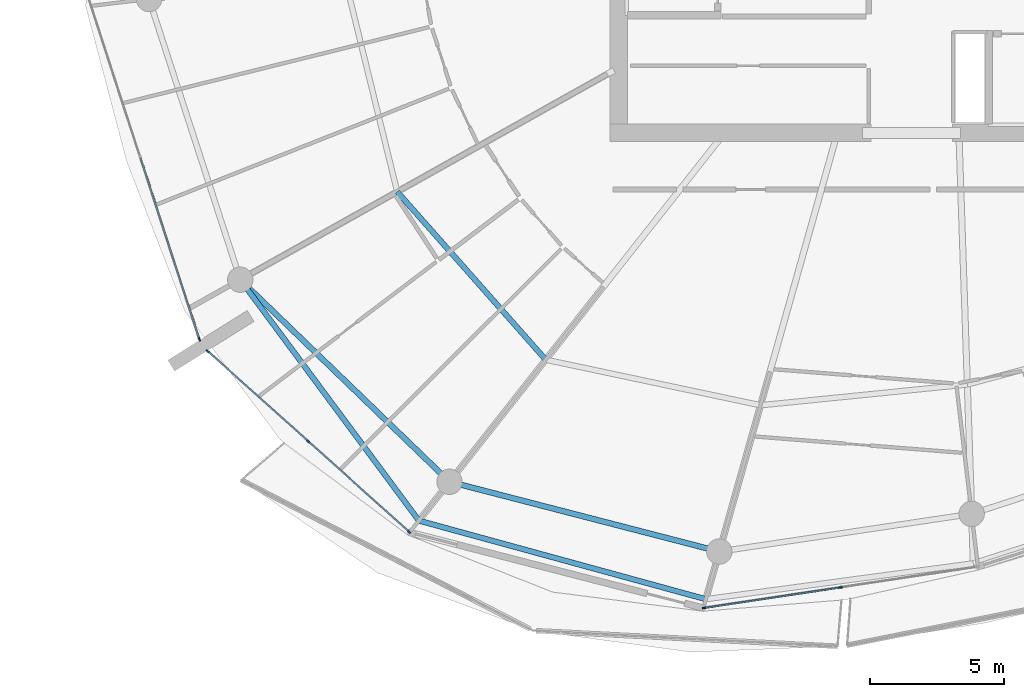
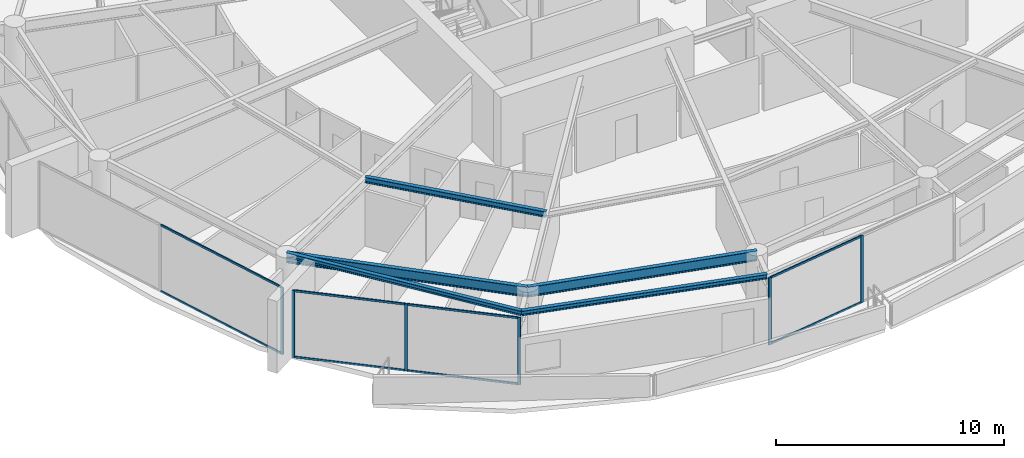
# One storey, part 5 of 30: 14 members, 5 beams, 3 elements without a shape of their own.
"""IFC4 building model written with IfcOpenShell, lengths in metres."""

from ifc_helpers import new_model, si_unit, direction, frame, origin, origin_2d, place, context, subcontext, project, spatial, rectangle, i_section, extrude, material, layer, layer_set, material_profile, profile_set, type_object, element, aggregate, save


model = new_model("IFC4")

# Units and contexts
model_context = context("Model", 3, precision=1e-05, world=origin(), true_north=direction((0.0, 1.0)))
body_context = subcontext(model_context, "Body", "Model", "MODEL_VIEW")
ifc_project = project(units=[si_unit("LENGTHUNIT", "METRE"), si_unit("AREAUNIT", "SQUARE_METRE"), si_unit("VOLUMEUNIT", "CUBIC_METRE"), si_unit("PLANEANGLEUNIT", "RADIAN"), si_unit("MASSUNIT", "GRAM", prefix="KILO")], contexts=[model_context])

# Site, building, storey
site_placement = place(None, origin())
site = spatial("IfcSite", under=ifc_project, at=site_placement, CompositionType="ELEMENT")
building_placement = place(site_placement, origin())
building = spatial("IfcBuilding", under=site, at=building_placement, Name="Kazma Halo Residences", CompositionType="ELEMENT")
storey_placement = place(building_placement, frame((0.0, 0.0, 255.949951171875)))
storey = spatial("IfcBuildingStorey", under=building, at=storey_placement, Name="L64", CompositionType="ELEMENT", Elevation=255.949951171875)

# Beams
ifc_material_1 = material(Name="Steel S355", Category="steel")
ifc_material_profile_1 = material_profile(ifc_material_1, i_section(OverallWidth=0.201904296875, OverallDepth=0.2470703125, WebThickness=0.00732421875, FlangeThickness=0.010986328125, FilletRadius=0.011962890625, at=origin_2d()), Name="W250x49.1")
ifc_profile_set_1 = profile_set([ifc_material_profile_1], Name="Steel S355")
beam_type_1 = type_object("IfcBeamType", Name="BM-BAL-CANT", PredefinedType="BEAM", material=ifc_profile_set_1)
beam_1_placement = place(storey_placement, frame((23.32958984375, 28.18408203125, 3.466552734375), z_axis=(0.595556062515, -0.803313747176, 0.0), x_axis=(0.803313747176, 0.595556062515, 0.0)))
element("IfcBeam", 1, at=beam_1_placement, inside=storey, type_object=beam_type_1, Name="L64 wave-balcony lead tie beam 09", PredefinedType="BEAM", context=body_context, shape_type="SweptSolid", body=[
    extrude(i_section(OverallWidth=0.201904296875, OverallDepth=0.2470703125, WebThickness=0.00732421875, FlangeThickness=0.010986328125, FilletRadius=0.011962890625, at=origin_2d()), origin(), (0.0, 0.0, 1.0), 11.213134765625),
])
beam_2_placement = place(storey_placement, frame((30.007568359375, 19.176513671875, 3.466552734375), z_axis=(0.964514665976, -0.264029277006, 0.0), x_axis=(0.264029277006, 0.964514665976, 0.0)))
element("IfcBeam", 2, at=beam_2_placement, inside=storey, type_object=beam_type_1, Name="L64 wave-balcony tie beam 10", PredefinedType="BEAM", context=body_context, shape_type="SweptSolid", body=[
    extrude(i_section(OverallWidth=0.201904296875, OverallDepth=0.2470703125, WebThickness=0.00732421875, FlangeThickness=0.010986328125, FilletRadius=0.011962890625, at=origin_2d()), origin(), (0.0, 0.0, 1.0), 11.1220703125),
])
ifc_material_profile_2 = material_profile(ifc_material_1, i_section(OverallWidth=0.202880859375, OverallDepth=0.302978515625, WebThickness=0.007568359375, FlangeThickness=0.01318359375, FilletRadius=0.013916015625, at=origin_2d()), Name="W310x60")
ifc_profile_set_2 = profile_set([ifc_material_profile_2], Name="Steel S355")
beam_type_2 = type_object("IfcBeamType", Name="BM-SEC-W310A", PredefinedType="JOIST", material=ifc_profile_set_2)
beam_3_placement = place(storey_placement, frame((29.197265625, 31.469970703125, 3.4384765625), z_axis=(0.662539311942, -0.749027142453, 0.0), x_axis=(0.749027142453, 0.662539311942, 0.0)))
element("IfcBeam", 3, at=beam_3_placement, inside=storey, type_object=beam_type_2, Name="L64 circumferential floor joist 09", PredefinedType="JOIST", context=body_context, shape_type="SweptSolid", body=[
    extrude(i_section(OverallWidth=0.202880859375, OverallDepth=0.302978515625, WebThickness=0.007568359375, FlangeThickness=0.01318359375, FilletRadius=0.013916015625, at=origin_2d()), origin(), (0.0, 0.0, 1.0), 8.381103515625),
])
ifc_material_profile_3 = material_profile(ifc_material_1, i_section(OverallWidth=0.208984375, OverallDepth=0.532958984375, WebThickness=0.01025390625, FlangeThickness=0.015625, FilletRadius=0.01611328125, at=origin_2d()), Name="W530x92")
ifc_profile_set_3 = profile_set([ifc_material_profile_3], Name="Steel S355")
beam_type_3 = type_object("IfcBeamType", Name="BM-SPN-W530", PredefinedType="BEAM", material=ifc_profile_set_3)
beam_4_placement = place(storey_placement, frame((23.32958984375, 28.18408203125, 3.323486328125), z_axis=(0.719345757929, -0.694652201141, 0.0), x_axis=(0.694652201141, 0.719345757929, 0.0)))
element("IfcBeam", 4, at=beam_4_placement, inside=storey, type_object=beam_type_3, Name="L64 perimeter ring beam 09", PredefinedType="BEAM", context=body_context, shape_type="SweptSolid", body=[
    extrude(i_section(OverallWidth=0.208984375, OverallDepth=0.532958984375, WebThickness=0.01025390625, FlangeThickness=0.015625, FilletRadius=0.01611328125, at=origin_2d()), origin(), (0.0, 0.0, 1.0), 10.87548828125),
])
beam_5_placement = place(storey_placement, frame((31.15283203125, 20.62939453125, 3.323486328125), z_axis=(0.968126042852, -0.250463500639, 0.0), x_axis=(0.250463500639, 0.968126042852, 0.0)))
element("IfcBeam", 5, at=beam_5_placement, inside=storey, type_object=beam_type_3, Name="L64 perimeter ring beam 10", PredefinedType="BEAM", context=body_context, shape_type="SweptSolid", body=[
    extrude(i_section(OverallWidth=0.208984375, OverallDepth=0.532958984375, WebThickness=0.01025390625, FlangeThickness=0.015625, FilletRadius=0.01611328125, at=origin_2d()), origin(), (0.0, 0.0, 1.0), 10.416259765625),
])

# Curtain wall, member
ifc_material_2 = material(Name="Aluminium AW-6063 T6 and Triple-Silver Low-E Glass", Category="aluminium")
ifc_layer = layer(ifc_material_2, 0.139892578125)
ifc_layer_set = layer_set([ifc_layer], Name="Aluminium AW-6063 T6 and Triple-Silver Low-E Glass")
curtain_wall_type = type_object("IfcCurtainWallType", Name="CW-SYS-5", PredefinedType="NOTDEFINED", material=ifc_layer_set)
curtain_wall_1_placement = place(storey_placement, origin())
curtain_wall_1 = element("IfcCurtainWall", 6, at=curtain_wall_1_placement, inside=storey, type_object=curtain_wall_type, Name="L64 unitised curtain wall B08", PredefinedType="NOTDEFINED")
ifc_material_3 = material(Name="Aluminium AW-6063 T6", Category="aluminium")
ifc_material_profile_4 = material_profile(ifc_material_3, rectangle(XDim=0.06005859375, YDim=0.139892578125, at=origin_2d()), Name="CWM-60x140")
ifc_profile_set_4 = profile_set([ifc_material_profile_4], Name="Aluminium AW-6063 T6")
member_type_1 = type_object("IfcMemberType", Name="CW-SYS-5-MUL", PredefinedType="MULLION", material=ifc_profile_set_4)
member_1_placement = place(storey_placement, frame((21.8076171875, 25.9521484375, 0.0), z_axis=(0.0, 0.0, 1.0), x_axis=(0.951058464359, 0.309010998786, 0.0)))
member_1 = element("IfcMember", 7, at=member_1_placement, type_object=member_type_1, Name="CWS-5 mullion 3", PredefinedType="MULLION", context=body_context, shape_type="SweptSolid", body=[
    extrude(rectangle(XDim=0.06005859375, YDim=0.139892578125, at=origin_2d()), origin(), (0.0, 0.0, 1.0), 3.590087890625),
])

# Curtain wall, members
curtain_wall_2_placement = place(storey_placement, origin())
curtain_wall_2 = element("IfcCurtainWall", 8, at=curtain_wall_2_placement, inside=storey, type_object=curtain_wall_type, Name="L64 unitised curtain wall B09", PredefinedType="NOTDEFINED")
member_2_placement = place(storey_placement, frame((22.11669921875, 25.508056640625, 0.0), z_axis=(0.0, 0.0, 1.0), x_axis=(0.667804826958, 0.744336424671, 0.0)))
member_2 = element("IfcMember", 9, at=member_2_placement, type_object=member_type_1, Name="CWS-5 mullion 1", PredefinedType="MULLION", context=body_context, shape_type="SweptSolid", body=[
    extrude(rectangle(XDim=0.06005859375, YDim=0.139892578125, at=origin_2d()), origin(), (0.0, 0.0, 1.0), 3.590087890625),
])
member_3_placement = place(storey_placement, frame((25.878173828125, 22.13330078125, 0.0), z_axis=(0.0, 0.0, 1.0), x_axis=(0.667804826958, 0.744336424671, 0.0)))
member_3 = element("IfcMember", 10, at=member_3_placement, type_object=member_type_1, Name="CWS-5 mullion 2", PredefinedType="MULLION", context=body_context, shape_type="SweptSolid", body=[
    extrude(rectangle(XDim=0.06005859375, YDim=0.139892578125, at=origin_2d()), origin(), (0.0, 0.0, 1.0), 3.590087890625),
])
member_4_placement = place(storey_placement, frame((29.6396484375, 18.758544921875, 0.0), z_axis=(0.0, 0.0, 1.0), x_axis=(0.667804826958, 0.744336424671, 0.0)))
member_4 = element("IfcMember", 11, at=member_4_placement, type_object=member_type_1, Name="CWS-5 mullion 3", PredefinedType="MULLION", context=body_context, shape_type="SweptSolid", body=[
    extrude(rectangle(XDim=0.06005859375, YDim=0.139892578125, at=origin_2d()), origin(), (0.0, 0.0, 1.0), 3.590087890625),
])

curtain_wall_3_placement = place(storey_placement, origin())
curtain_wall_3 = element("IfcCurtainWall", 12, at=curtain_wall_3_placement, inside=storey, type_object=curtain_wall_type, Name="L64 unitised curtain wall B11", PredefinedType="NOTDEFINED")
member_5_placement = place(storey_placement, frame((40.671142578125, 15.912841796875, 0.0), z_axis=(0.0, 0.0, 1.0), x_axis=(-0.148697080374, 0.988882792998, 0.0)))
member_5 = element("IfcMember", 13, at=member_5_placement, type_object=member_type_1, Name="CWS-5 mullion 1", PredefinedType="MULLION", context=body_context, shape_type="SweptSolid", body=[
    extrude(rectangle(XDim=0.06005859375, YDim=0.139892578125, at=origin_2d()), origin(), (0.0, 0.0, 1.0), 3.590087890625),
])
member_6_placement = place(storey_placement, frame((45.7734375, 16.679931640625, 0.0), z_axis=(0.0, 0.0, 1.0), x_axis=(-0.148697080374, 0.988882792998, 0.0)))
member_6 = element("IfcMember", 14, at=member_6_placement, type_object=member_type_1, Name="CWS-5 mullion 2", PredefinedType="MULLION", context=body_context, shape_type="SweptSolid", body=[
    extrude(rectangle(XDim=0.06005859375, YDim=0.139892578125, at=origin_2d()), origin(), (0.0, 0.0, 1.0), 3.590087890625),
])

# Member
ifc_material_profile_5 = material_profile(ifc_material_3, rectangle(XDim=0.06005859375, YDim=0.10498046875, at=origin_2d()), Name="CWT-60x105")
ifc_profile_set_5 = profile_set([ifc_material_profile_5], Name="Aluminium AW-6063 T6")
member_type_2 = type_object("IfcMemberType", Name="CW-SYS-5-TRN", PredefinedType="USERDEFINED", material=ifc_profile_set_5)
member_7_placement = place(storey_placement, frame((19.6015625, 32.7412109375, 0.030029296875), z_axis=(0.309027052142, -0.95105324827, 0.0), x_axis=(0.95105324827, 0.309027052142, 0.0)))
member_7 = element("IfcMember", 15, at=member_7_placement, type_object=member_type_2, Name="CWS-5 transom 2.1", ObjectType="TRANSOM", PredefinedType="USERDEFINED", context=body_context, shape_type="SweptSolid", body=[
    extrude(rectangle(XDim=0.06005859375, YDim=0.10498046875, at=origin_2d()), origin(), (0.0, 0.0, 1.0), 7.108642578125),
])

member_8_placement = place(storey_placement, frame((19.6015625, 32.7412109375, 3.56005859375), z_axis=(0.309027052142, -0.95105324827, 0.0), x_axis=(0.95105324827, 0.309027052142, 0.0)))
member_8 = element("IfcMember", 16, at=member_8_placement, type_object=member_type_2, Name="CWS-5 transom 2.2", ObjectType="TRANSOM", PredefinedType="USERDEFINED", context=body_context, shape_type="SweptSolid", body=[
    extrude(rectangle(XDim=0.06005859375, YDim=0.10498046875, at=origin_2d()), origin(), (0.0, 0.0, 1.0), 7.108642578125),
])

aggregate(curtain_wall_1, [member_1, member_7, member_8])

member_9_placement = place(storey_placement, frame((22.138916015625, 25.488037109375, 0.030029296875), z_axis=(0.744328897483, -0.667813216679, 0.0), x_axis=(0.667813216679, 0.744328897483, 0.0)))
member_9 = element("IfcMember", 17, at=member_9_placement, type_object=member_type_2, Name="CWS-5 transom 1.1", ObjectType="TRANSOM", PredefinedType="USERDEFINED", context=body_context, shape_type="SweptSolid", body=[
    extrude(rectangle(XDim=0.06005859375, YDim=0.10498046875, at=origin_2d()), origin(), (0.0, 0.0, 1.0), 4.993408203125),
])

member_10_placement = place(storey_placement, frame((22.138916015625, 25.488037109375, 3.56005859375), z_axis=(0.744328897483, -0.667813216679, 0.0), x_axis=(0.667813216679, 0.744328897483, 0.0)))
member_10 = element("IfcMember", 18, at=member_10_placement, type_object=member_type_2, Name="CWS-5 transom 1.2", ObjectType="TRANSOM", PredefinedType="USERDEFINED", context=body_context, shape_type="SweptSolid", body=[
    extrude(rectangle(XDim=0.06005859375, YDim=0.10498046875, at=origin_2d()), origin(), (0.0, 0.0, 1.0), 4.993408203125),
])

member_11_placement = place(storey_placement, frame((25.900390625, 22.11328125, 0.030029296875), z_axis=(0.744350700793, -0.667788914425, 0.0), x_axis=(0.667788914425, 0.744350700793, 0.0)))
member_11 = element("IfcMember", 19, at=member_11_placement, type_object=member_type_2, Name="CWS-5 transom 2.1", ObjectType="TRANSOM", PredefinedType="USERDEFINED", context=body_context, shape_type="SweptSolid", body=[
    extrude(rectangle(XDim=0.06005859375, YDim=0.10498046875, at=origin_2d()), origin(), (0.0, 0.0, 1.0), 4.99365234375),
])

member_12_placement = place(storey_placement, frame((25.900390625, 22.11328125, 3.56005859375), z_axis=(0.744350700793, -0.667788914425, 0.0), x_axis=(0.667788914425, 0.744350700793, 0.0)))
member_12 = element("IfcMember", 20, at=member_12_placement, type_object=member_type_2, Name="CWS-5 transom 2.2", ObjectType="TRANSOM", PredefinedType="USERDEFINED", context=body_context, shape_type="SweptSolid", body=[
    extrude(rectangle(XDim=0.06005859375, YDim=0.10498046875, at=origin_2d()), origin(), (0.0, 0.0, 1.0), 4.99365234375),
])

aggregate(curtain_wall_2, [member_2, member_3, member_4, member_9, member_10, member_11, member_12])

member_13_placement = place(storey_placement, frame((40.70068359375, 15.917236328125, 0.030029296875), z_axis=(0.988883972013, 0.148689239341, 0.0), x_axis=(-0.148689239341, 0.988883972013, 0.0)))
member_13 = element("IfcMember", 21, at=member_13_placement, type_object=member_type_2, Name="CWS-5 transom 1.1", ObjectType="TRANSOM", PredefinedType="USERDEFINED", context=body_context, shape_type="SweptSolid", body=[
    extrude(rectangle(XDim=0.06005859375, YDim=0.10498046875, at=origin_2d()), origin(), (0.0, 0.0, 1.0), 5.099853515625),
])

member_14_placement = place(storey_placement, frame((40.70068359375, 15.917236328125, 3.56005859375), z_axis=(0.988883972013, 0.148689239341, 0.0), x_axis=(-0.148689239341, 0.988883972013, 0.0)))
member_14 = element("IfcMember", 22, at=member_14_placement, type_object=member_type_2, Name="CWS-5 transom 1.2", ObjectType="TRANSOM", PredefinedType="USERDEFINED", context=body_context, shape_type="SweptSolid", body=[
    extrude(rectangle(XDim=0.06005859375, YDim=0.10498046875, at=origin_2d()), origin(), (0.0, 0.0, 1.0), 5.099853515625),
])

aggregate(curtain_wall_3, [member_5, member_6, member_13, member_14])

save(model, "model.ifc")
